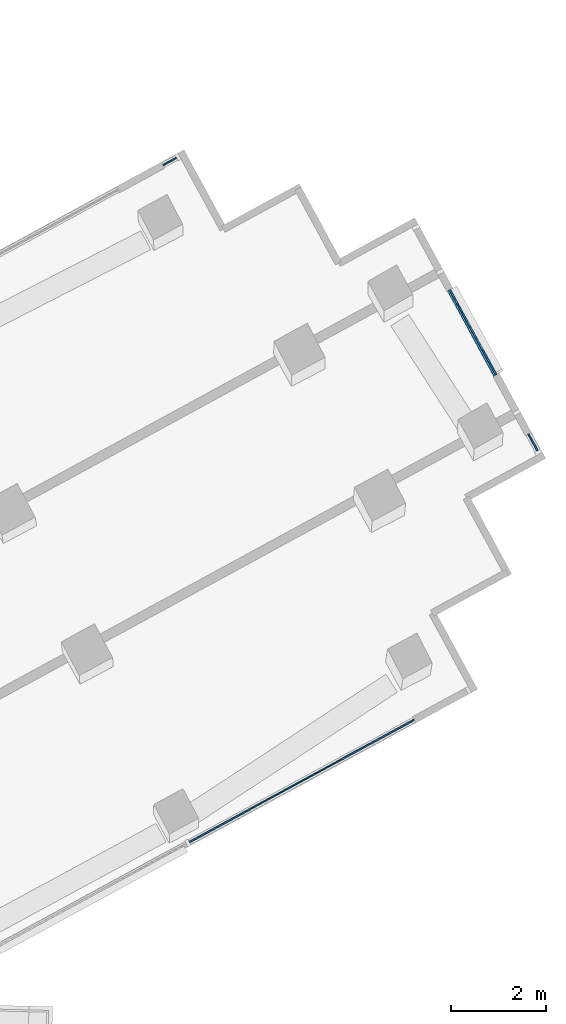
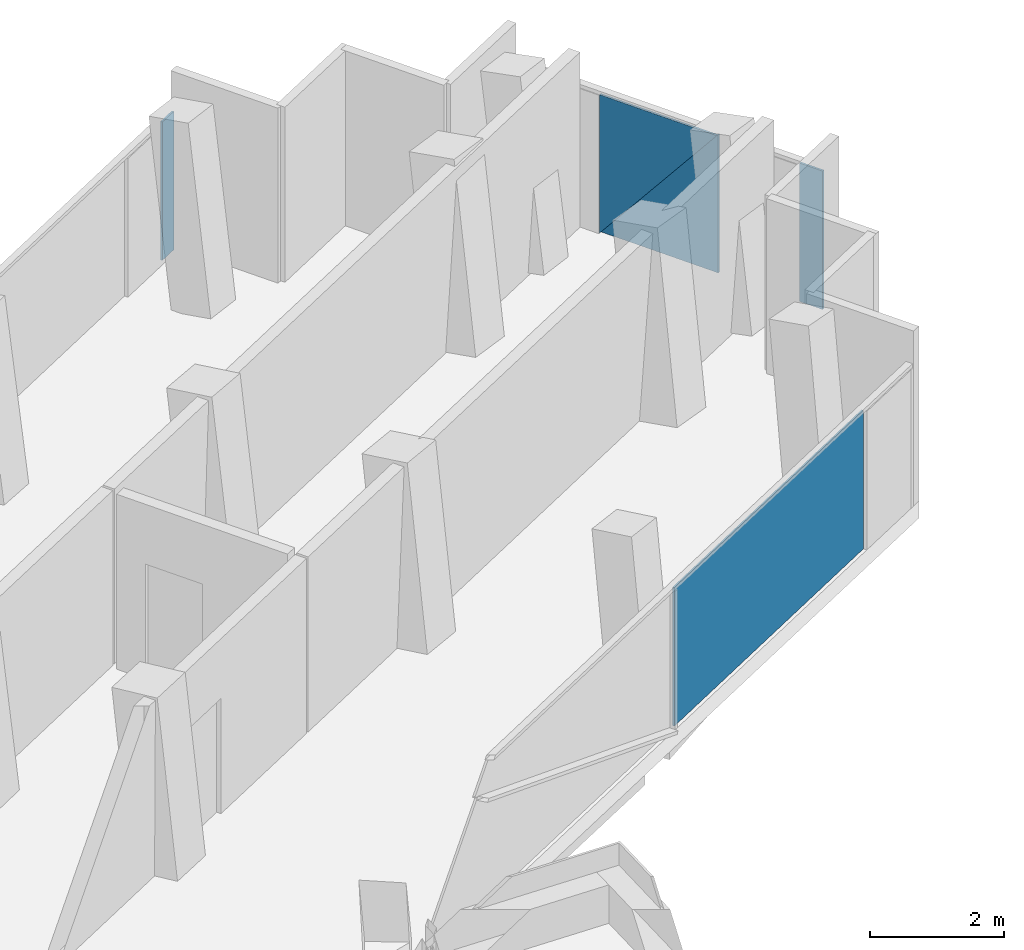
# One storey, part 15 of 24: 5 plates, 3 elements without a shape of their own.
"""IFC4 building model written with IfcOpenShell, lengths in metres."""

from ifc_helpers import new_model, si_unit, direction, frame, origin, origin_2d, place, context, subcontext, project, spatial, polyline, rectangle, outline, extrude, material, layer, layer_set, type_object, element, aggregate, save


model = new_model("IFC4")

# Units and contexts
model_context = context("Model", 3, precision=1e-05, world=origin(), true_north=direction((0.0, 1.0)))
body_context = subcontext(model_context, "Body", "Model", "MODEL_VIEW")
ifc_project = project(units=[si_unit("LENGTHUNIT", "METRE"), si_unit("AREAUNIT", "SQUARE_METRE"), si_unit("VOLUMEUNIT", "CUBIC_METRE"), si_unit("PLANEANGLEUNIT", "RADIAN"), si_unit("MASSUNIT", "GRAM", prefix="KILO")], contexts=[model_context])

# Site, building, storey
site_placement = place(None, origin())
site = spatial("IfcSite", under=ifc_project, at=site_placement, CompositionType="ELEMENT")
building_placement = place(site_placement, origin())
building = spatial("IfcBuilding", under=site, at=building_placement, Name="Verdalira Terraces Hotel", CompositionType="ELEMENT")
storey_placement = place(building_placement, frame((0.0, 0.0, 274.0)))
storey = spatial("IfcBuildingStorey", under=building, at=storey_placement, Name="L67", CompositionType="ELEMENT", Elevation=274.0)

# Curtain wall, plate
ifc_material_1 = material(Name="Clear glass", Category="glass")
ifc_layer_1 = layer(ifc_material_1, 0.14990234375)
ifc_layer_set_1 = layer_set([ifc_layer_1], Name="CW2 curtain wall")
curtain_wall_type_1 = type_object("IfcCurtainWallType", Name="CW2 curtain wall", PredefinedType="NOTDEFINED", material=ifc_layer_set_1)
curtain_wall_1_placement = place(storey_placement, origin())
curtain_wall_1 = element("IfcCurtainWall", 1, at=curtain_wall_1_placement, inside=storey, type_object=curtain_wall_type_1, Name="CW2 curtain wall L67 edge 28", PredefinedType="NOTDEFINED")
ifc_material_2 = material(Name="Clear glass", Category="glass")
ifc_layer_2 = layer(ifc_material_2, 0.031982421875)
ifc_layer_set_2 = layer_set([ifc_layer_2], Name="CW2 glass unit 32")
plate_type_1 = type_object("IfcPlateType", Name="CW2 glass unit 32", PredefinedType="CURTAIN_PANEL", material=ifc_layer_set_2)
plate_1_placement = place(storey_placement, frame((32.884277, 10.584229, 0.0), z_axis=(0.0, 0.0, 1.0), x_axis=(0.878316951, 0.478078794, 0.0)))
plate_1 = element("IfcPlate", 2, at=plate_1_placement, type_object=plate_type_1, Name="CW2 glass unit", PredefinedType="CURTAIN_PANEL", context=body_context, shape_type="SweptSolid", body=[
    extrude(rectangle(XDim=5.41626, YDim=0.031982, at=origin_2d()), origin(), (0.0, 0.0, 1.0), 2.524902),
])
aggregate(curtain_wall_1, [plate_1])

curtain_wall_2_placement = place(storey_placement, origin())
curtain_wall_2 = element("IfcCurtainWall", 3, at=curtain_wall_2_placement, inside=storey, type_object=curtain_wall_type_1, Name="CW2 curtain wall L67 edge 38", PredefinedType="NOTDEFINED")
plate_2_placement = place(storey_placement, frame((30.091797, 23.69458, 0.0), z_axis=(0.0, 0.0, 1.0), x_axis=(-0.878316951, -0.478078794, 0.0)))
plate_2 = element("IfcPlate", 4, at=plate_2_placement, type_object=plate_type_1, Name="CW2 glass unit", PredefinedType="CURTAIN_PANEL", context=body_context, shape_type="SweptSolid", body=[
    extrude(rectangle(XDim=0.325684, YDim=0.031982, at=origin_2d()), origin(), (0.0, 0.0, 1.0), 2.524902),
])
aggregate(curtain_wall_2, [plate_2])

# Curtain wall, plates
ifc_material_3 = material(Name="Clear glass", Category="glass")
ifc_layer_3 = layer(ifc_material_3, 0.14990234375)
ifc_layer_set_3 = layer_set([ifc_layer_3], Name="CW3 curtain wall")
curtain_wall_type_2 = type_object("IfcCurtainWallType", Name="CW3 curtain wall", PredefinedType="NOTDEFINED", material=ifc_layer_set_3)
curtain_wall_3_placement = place(storey_placement, origin())
curtain_wall_3 = element("IfcCurtainWall", 5, at=curtain_wall_3_placement, inside=storey, type_object=curtain_wall_type_2, Name="CW3 curtain wall L67 edge 33", PredefinedType="NOTDEFINED")
ifc_material_4 = material(Name="Clear glass", Category="glass")
ifc_layer_4 = layer(ifc_material_4, 0.035888671875)
ifc_layer_set_4 = layer_set([ifc_layer_4], Name="CW3 glass unit 36")
plate_type_2 = type_object("IfcPlateType", Name="CW3 glass unit 36", PredefinedType="CURTAIN_PANEL", material=ifc_layer_set_4)
plate_3_placement = place(storey_placement, frame((37.776855, 17.750244, 0.0), z_axis=(0.0, 0.0, 1.0), x_axis=(-0.478078794, 0.878316951, 0.0)))
plate_3 = element("IfcPlate", 6, at=plate_3_placement, type_object=plate_type_2, Name="CW3 glass unit", PredefinedType="CURTAIN_PANEL", context=body_context, shape_type="SweptSolid", body=[
    extrude(rectangle(XDim=0.399902, YDim=0.035889, at=origin_2d()), origin(), (0.0, 0.0, 1.0), 2.524902),
])
plate_4_placement = place(storey_placement, frame((36.491943, 20.072754, 1.262451), z_axis=(0.878316951, 0.478078794, 0.0), x_axis=(-0.478078794, 0.878316951, 0.0)))
plate_4 = element("IfcPlate", 7, at=plate_4_placement, type_object=plate_type_2, Name="CW3 glass unit", PredefinedType="CURTAIN_PANEL", context=body_context, shape_type="SweptSolid", body=[
    extrude(outline(polyline([(-1.025879, -1.262451), (1.025879, -1.262451), (-1.025879, 1.262451), (-1.025879, -1.262451)])), origin(), (0.0, 0.0, 1.0), 0.035889),
])
plate_5_placement = place(storey_placement, frame((36.459473, 20.054932, 1.262451), z_axis=(0.878316951, 0.478078794, 0.0), x_axis=(-0.478078794, 0.878316951, 0.0)))
plate_5 = element("IfcPlate", 8, at=plate_5_placement, type_object=plate_type_2, Name="CW3 glass unit", PredefinedType="CURTAIN_PANEL", context=body_context, shape_type="SweptSolid", body=[
    extrude(outline(polyline([(1.025879, -1.262451), (1.025879, 1.262451), (-1.025879, 1.262451), (1.025879, -1.262451)])), origin(), (0.0, 0.0, 1.0), 0.035889),
])
aggregate(curtain_wall_3, [plate_3, plate_4, plate_5])

save(model, "model.ifc")
